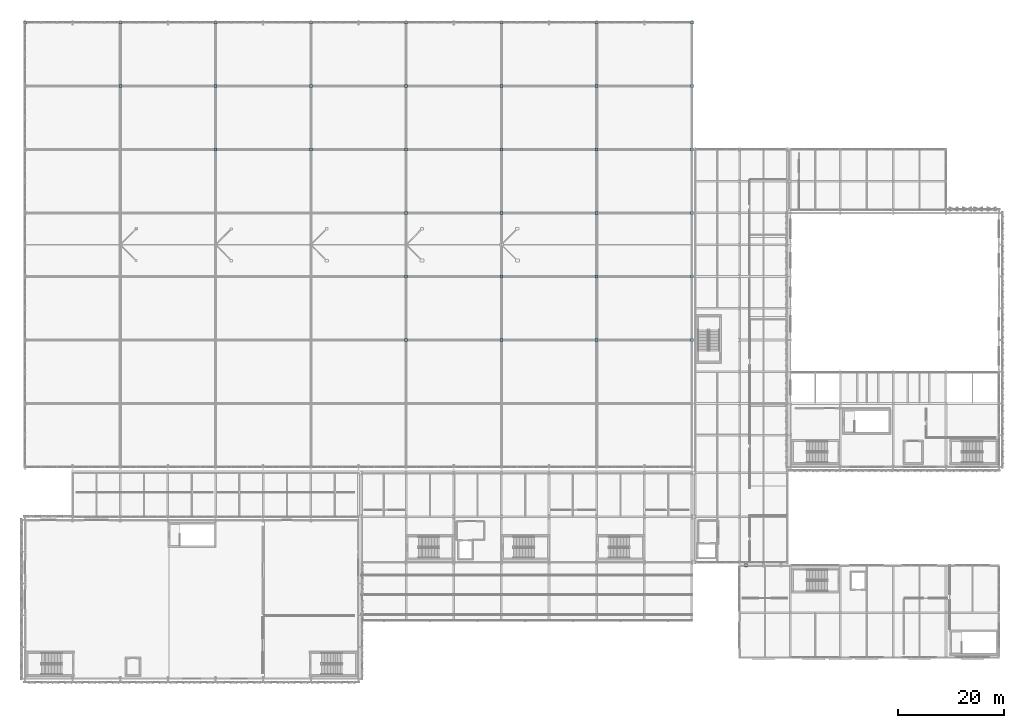
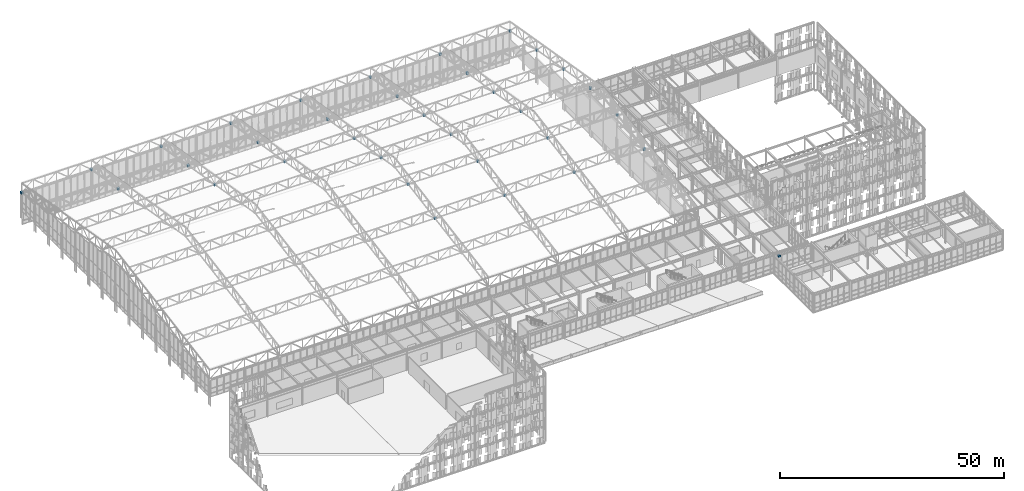
# One storey, part 212 of 239: 34 discrete accessories.
"""IFC4 building model written with IfcOpenShell, lengths in metres."""

from ifc_helpers import new_model, si_unit, direction, frame, origin, origin_2d, place, context, subcontext, project, spatial, rectangle, extrude, material, type_object, element, save


model = new_model("IFC4")

# Units and contexts
model_context = context("Model", 3, precision=1e-05, world=origin(), true_north=direction((0.0, 1.0)))
body_context = subcontext(model_context, "Body", "Model", "MODEL_VIEW")
ifc_project = project(units=[si_unit("LENGTHUNIT", "METRE"), si_unit("AREAUNIT", "SQUARE_METRE"), si_unit("VOLUMEUNIT", "CUBIC_METRE"), si_unit("PLANEANGLEUNIT", "RADIAN"), si_unit("MASSUNIT", "GRAM", prefix="KILO")], contexts=[model_context])

# Site, building, storey
site_placement = place(None, origin())
site = spatial("IfcSite", under=ifc_project, at=site_placement, CompositionType="ELEMENT")
building_placement = place(site_placement, origin())
building = spatial("IfcBuilding", under=site, at=building_placement, Name="Kaldris Quays Convention Centre", CompositionType="ELEMENT")
storey_placement = place(building_placement, frame((0.0, 0.0, 11.39990234375)))
storey = spatial("IfcBuildingStorey", under=building, at=storey_placement, Name="L02", CompositionType="ELEMENT", Elevation=11.39990234375)

# Discrete accessories
ifc_material_1 = material(Name="Concrete C40/50", Category="concrete")
discrete_accessory_type_1 = type_object("IfcDiscreteAccessoryType", Name="BRIDGE CORBEL BRACKET CBK1", PredefinedType="BRACKET", material=ifc_material_1)
discrete_accessory_placement = place(storey_placement, frame((156.199951171875, 37.449951171875, 4.210205078125), z_axis=(0.0, 0.0, 1.0), x_axis=(1.0, 0.0, 0.0)))
element("IfcDiscreteAccessory", 1, at=discrete_accessory_placement, inside=storey, type_object=discrete_accessory_type_1, Name="L02 Bridge 650 mm RC Corbel Seat 1", PredefinedType="BRACKET", context=body_context, shape_type="SweptSolid", body=[
    extrude(rectangle(XDim=0.60009765625, YDim=0.64990234375, at=origin_2d()), origin(), (0.0, 0.0, 1.0), 0.419921875),
])
ifc_material_2 = material(Name="Steel S355J2", Category="steel")
discrete_accessory_type_2 = type_object("IfcDiscreteAccessoryType", Name="CAST STEEL HUB SHOE HS01", PredefinedType="SHOE", material=ifc_material_2)
for number, where, z_axis, x_axis, name in (
    (2, (20.0, 140.0, 6.891845703125), (0.0, 0.0, 1.0), (1.0, 0.0, 0.0), "SF-V1 Bottom Hub Shoe 8"),
    (3, (38.0, 128.0, 8.948974609375), (0.0, 0.0, 1.0), (1.0, 0.0, 0.0), "SF-V1 Bottom Hub Shoe 15"),
    (4, (38.0, 140.0, 6.891845703125), (0.0, 0.0, 1.0), (1.0, 0.0, 0.0), "SF-V1 Bottom Hub Shoe 16"),
    (5, (56.0, 116.0, 11.006103515625), (0.0, 0.0, 1.0), (1.0, 0.0, 0.0), "SF-V1 Bottom Hub Shoe 22"),
    (6, (56.0, 128.0, 8.948974609375), (0.0, 0.0, 1.0), (1.0, 0.0, 0.0), "SF-V1 Bottom Hub Shoe 23"),
    (7, (56.0, 140.0, 6.891845703125), (0.0, 0.0, 1.0), (1.0, 0.0, 0.0), "SF-V1 Bottom Hub Shoe 24"),
    (8, (74.0, 116.0, 11.006103515625), (0.0, 0.0, 1.0), (1.0, 0.0, 0.0), "SF-V1 Bottom Hub Shoe 30"),
    (9, (74.0, 128.0, 8.948974609375), (0.0, 0.0, 1.0), (1.0, 0.0, 0.0), "SF-V1 Bottom Hub Shoe 31"),
    (10, (74.0, 140.0, 6.891845703125), (0.0, 0.0, 1.0), (1.0, 0.0, 0.0), "SF-V1 Bottom Hub Shoe 32"),
    (11, (92.0, 80.0, 11.006103515625), (0.0, 0.0, 1.0), (1.0, 0.0, 0.0), "SF-V1 Bottom Hub Shoe 35"),
    (12, (92.0, 92.0, 13.063232421875), (0.0, 0.0, 1.0), (1.0, 0.0, 0.0), "SF-V1 Bottom Hub Shoe 36"),
    (13, (92.0, 104.0, 13.063232421875), (0.0, 0.0, 1.0), (1.0, 0.0, 0.0), "SF-V1 Bottom Hub Shoe 37"),
    (14, (92.0, 116.0, 11.006103515625), (0.0, 0.0, 1.0), (1.0, 0.0, 0.0), "SF-V1 Bottom Hub Shoe 38"),
    (15, (92.0, 128.0, 8.948974609375), (0.0, 0.0, 1.0), (1.0, 0.0, 0.0), "SF-V1 Bottom Hub Shoe 39"),
    (16, (92.0, 140.0, 6.891845703125), (0.0, 0.0, 1.0), (1.0, 0.0, 0.0), "SF-V1 Bottom Hub Shoe 40"),
    (17, (110.0, 80.0, 11.006103515625), (0.0, 0.0, 1.0), (1.0, 0.0, 0.0), "SF-V1 Bottom Hub Shoe 43"),
    (18, (110.0, 92.0, 13.063232421875), (0.0, 0.0, 1.0), (1.0, 0.0, 0.0), "SF-V1 Bottom Hub Shoe 44"),
    (19, (110.0, 104.0, 13.063232421875), (0.0, 0.0, 1.0), (1.0, 0.0, 0.0), "SF-V1 Bottom Hub Shoe 45"),
    (20, (110.0, 116.0, 11.006103515625), (0.0, 0.0, 1.0), (1.0, 0.0, 0.0), "SF-V1 Bottom Hub Shoe 46"),
    (21, (110.0, 128.0, 8.948974609375), (0.0, 0.0, 1.0), (1.0, 0.0, 0.0), "SF-V1 Bottom Hub Shoe 47"),
    (22, (110.0, 140.0, 6.891845703125), (0.0, 0.0, 1.0), (1.0, 0.0, 0.0), "SF-V1 Bottom Hub Shoe 48"),
    (23, (128.0, 80.0, 11.006103515625), (0.0, 0.0, 1.0), (1.0, 0.0, 0.0), "SF-V1 Bottom Hub Shoe 51"),
    (24, (128.0, 92.0, 13.063232421875), (0.0, 0.0, 1.0), (1.0, 0.0, 0.0), "SF-V1 Bottom Hub Shoe 52"),
    (25, (128.0, 104.0, 13.063232421875), (0.0, 0.0, 1.0), (1.0, 0.0, 0.0), "SF-V1 Bottom Hub Shoe 53"),
    (26, (128.0, 116.0, 11.006103515625), (0.0, 0.0, 1.0), (1.0, 0.0, 0.0), "SF-V1 Bottom Hub Shoe 54"),
    (27, (128.0, 128.0, 8.948974609375), (0.0, 0.0, 1.0), (1.0, 0.0, 0.0), "SF-V1 Bottom Hub Shoe 55"),
    (28, (128.0, 140.0, 6.891845703125), (0.0, 0.0, 1.0), (1.0, 0.0, 0.0), "SF-V1 Bottom Hub Shoe 56"),
    (29, (146.0, 80.0, 11.006103515625), (0.0, 0.0, 1.0), (1.0, 0.0, 0.0), "SF-V1 Bottom Hub Shoe 59"),
    (30, (146.0, 92.0, 13.063232421875), (0.0, 0.0, 1.0), (1.0, 0.0, 0.0), "SF-V1 Bottom Hub Shoe 60"),
    (31, (146.0, 104.0, 13.063232421875), (0.0, 0.0, 1.0), (1.0, 0.0, 0.0), "SF-V1 Bottom Hub Shoe 61"),
    (32, (146.0, 116.0, 11.006103515625), (0.0, 0.0, 1.0), (1.0, 0.0, 0.0), "SF-V1 Bottom Hub Shoe 62"),
    (33, (146.0, 128.0, 8.948974609375), (0.0, 0.0, 1.0), (1.0, 0.0, 0.0), "SF-V1 Bottom Hub Shoe 63"),
    (34, (146.0, 140.0, 6.891845703125), (0.0, 0.0, 1.0), (1.0, 0.0, 0.0), "SF-V1 Bottom Hub Shoe 64"),
):
    element("IfcDiscreteAccessory", number, at=place(storey_placement, frame(where, z_axis=z_axis, x_axis=x_axis)), inside=storey, type_object=discrete_accessory_type_2, Name=name, PredefinedType="SHOE", context=body_context, shape_type="SweptSolid", body=[
        extrude(rectangle(XDim=0.56005859375, YDim=0.56005859375, at=origin_2d()), origin(), (0.0, 0.0, 1.0), 0.56005859375),
    ])

save(model, "model.ifc")
